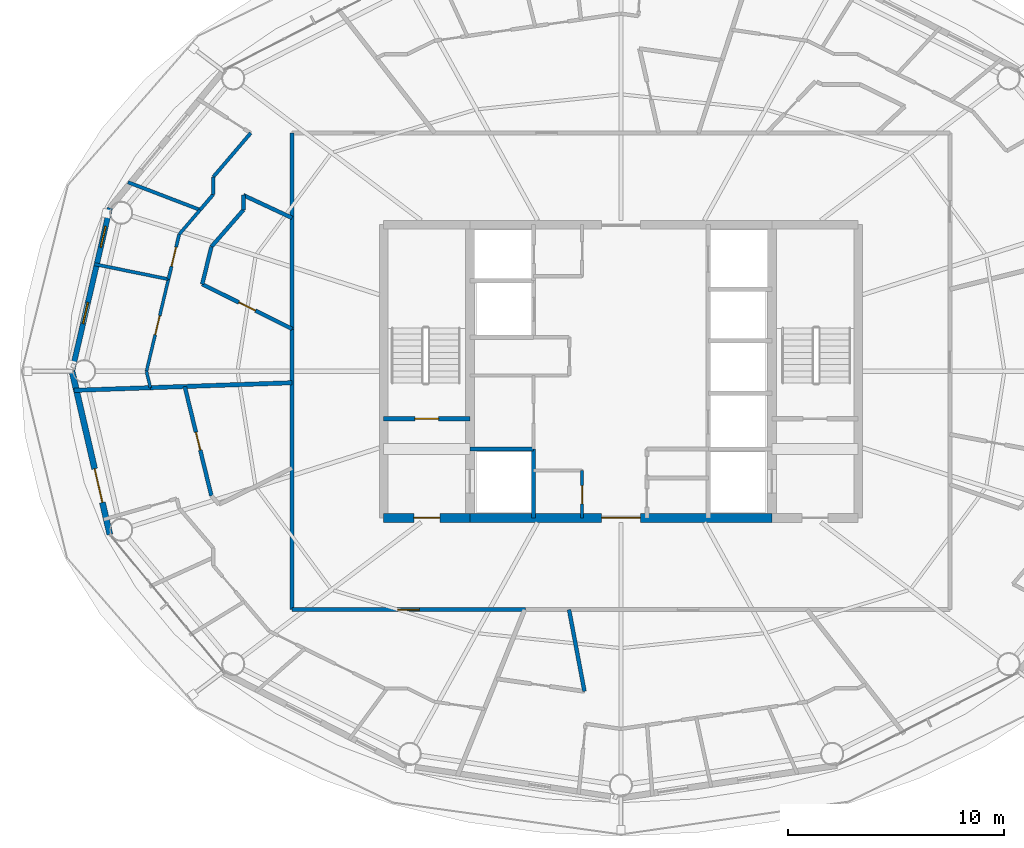
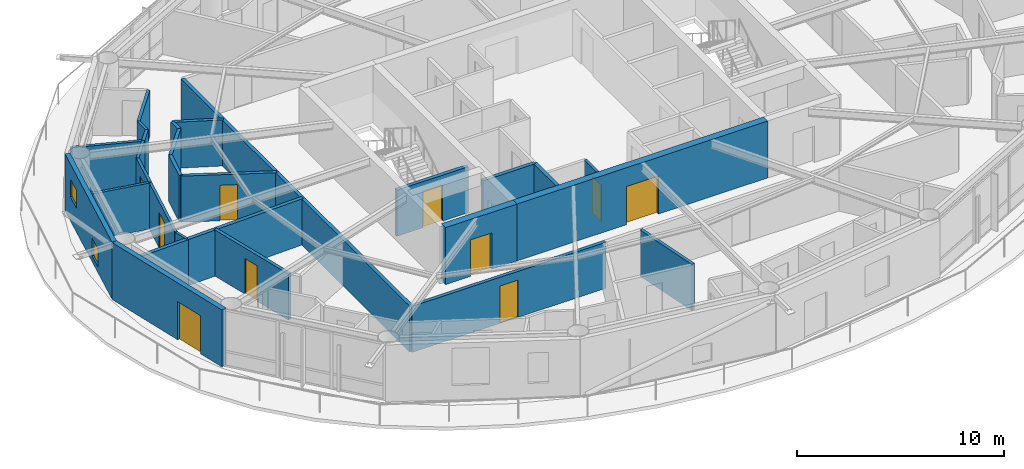
# One storey, part 16 of 23: 29 walls, 10 doors, 2 windows, 12 openings.
"""IFC4 building model written with IfcOpenShell, lengths in metres."""

from ifc_helpers import new_model, si_unit, direction, frame, frame_2d, origin, place, context, subcontext, project, spatial, rectangle, extrude, material, layer, layer_set, type_object, element, fill, save


model = new_model("IFC4")

# Units and contexts
model_context = context("Model", 3, precision=1e-05, world=origin(), true_north=direction((0.0, 1.0)))
body_context = subcontext(model_context, "Body", "Model", "MODEL_VIEW")
ifc_project = project(units=[si_unit("LENGTHUNIT", "METRE"), si_unit("AREAUNIT", "SQUARE_METRE"), si_unit("VOLUMEUNIT", "CUBIC_METRE"), si_unit("PLANEANGLEUNIT", "RADIAN"), si_unit("MASSUNIT", "GRAM", prefix="KILO")], contexts=[model_context])

# Site, building, storey
site_placement = place(None, origin())
site = spatial("IfcSite", under=ifc_project, at=site_placement, CompositionType="ELEMENT")
building_placement = place(site_placement, origin())
building = spatial("IfcBuilding", under=site, at=building_placement, Name="Sarneth Arch Tower", CompositionType="ELEMENT")
storey_placement = place(building_placement, frame((0.0, 0.0, 242.39990234375)))
storey = spatial("IfcBuildingStorey", under=building, at=storey_placement, Name="L62", CompositionType="ELEMENT", Elevation=242.39990234375)

# Wall, opening, door
ifc_material_1 = material(Name="Concrete C50/60", Category="concrete")
ifc_layer_1 = layer(ifc_material_1, 0.39990234375)
ifc_layer_set_1 = layer_set([ifc_layer_1], Name="Concrete C50/60")
wall_type_1 = type_object("IfcWallType", Name="WALL-CORE-400", PredefinedType="SHEAR", material=ifc_layer_set_1)
wall_1_placement = place(storey_placement, frame((37.0, 35.199951171875, 0.0), z_axis=(0.0, 0.0, 1.0), x_axis=(1.0, 0.0, 0.0)))
wall_1 = element("IfcWall", 1, at=wall_1_placement, inside=storey, type_object=wall_type_1, Name="L62 Core shear wall S-W", PredefinedType="SHEAR", context=body_context, shape_type="SweptSolid", body=[
    extrude(rectangle(XDim=4.0, YDim=0.39990234375, at=frame_2d((2.0, 0.0))), origin(), (0.0, 0.0, 1.0), 3.360107421875),
])
opening_1_placement = place(wall_1_placement, frame((1.39990234375, 0.0, 0.0)))
opening_1 = element("IfcOpeningElement", 2, at=opening_1_placement, cuts=wall_1, Name="Opening FD-02", PredefinedType="OPENING", context=body_context, shape_type="SweptSolid", body=[
    extrude(rectangle(XDim=1.199951171875, YDim=2.14990234375, at=frame_2d((0.60009765625, 1.074951171875))), frame((0.0, 0.2099609375, 0.0), z_axis=(0.0, -1.0, 0.0), x_axis=(1.0, 0.0, 0.0)), (0.0, 0.0, 1.0), 0.419921875),
])
ifc_material_2 = material(Name="Galvanised Steel S275 fire door set", Category="steel")
door_type_1 = type_object("IfcDoorType", Name="DR-FD90-1200", OperationType="SINGLE_SWING_LEFT", PredefinedType="DOOR", material=ifc_material_2)
door_1_placement = place(opening_1_placement, origin())
door_1 = element("IfcDoor", 3, at=door_1_placement, inside=storey, type_object=door_type_1, Name="L62 Firefighting lobby 1 exit door", OperationType="SINGLE_SWING_LEFT", OverallHeight=2.14990234375, OverallWidth=1.199951171875, PredefinedType="DOOR", context=body_context, shape_type="SweptSolid", body=[
    extrude(rectangle(XDim=1.199951171875, YDim=2.14990234375, at=frame_2d((0.60009765625, 1.074951171875))), frame((0.0, 0.02490234375, 0.0), z_axis=(0.0, -1.0, 0.0), x_axis=(1.0, 0.0, 0.0)), (0.0, 0.0, 1.0), 0.050048828125),
])
fill(opening_1, door_1)

wall_2_placement = place(storey_placement, frame((41.0, 35.199951171875, 0.0), z_axis=(0.0, 0.0, 1.0), x_axis=(1.0, 0.0, 0.0)))
wall_2 = element("IfcWall", 4, at=wall_2_placement, inside=storey, type_object=wall_type_1, Name="L62 Core shear wall S-M", PredefinedType="SHEAR", context=body_context, shape_type="SweptSolid", body=[
    extrude(rectangle(XDim=14.0, YDim=0.39990234375, at=frame_2d((7.0, 0.0))), origin(), (0.0, 0.0, 1.0), 3.360107421875),
])
opening_2_placement = place(wall_2_placement, frame((6.10009765625, 0.0, 0.0)))
opening_2 = element("IfcOpeningElement", 5, at=opening_2_placement, cuts=wall_2, Name="Opening FD-01", PredefinedType="OPENING", context=body_context, shape_type="SweptSolid", body=[
    extrude(rectangle(XDim=1.800048828125, YDim=2.25, at=frame_2d((0.89990234375, 1.125))), frame((0.0, 0.2099609375, 0.0), z_axis=(0.0, -1.0, 0.0), x_axis=(1.0, 0.0, 0.0)), (0.0, 0.0, 1.0), 0.419921875),
])
ifc_material_3 = material(Name="Galvanised Steel S275 fire door set", Category="steel")
door_type_2 = type_object("IfcDoorType", Name="DR-FD90-1800", OperationType="DOUBLE_DOOR_SINGLE_SWING", PredefinedType="DOOR", material=ifc_material_3)
door_2_placement = place(opening_2_placement, origin())
door_2 = element("IfcDoor", 6, at=door_2_placement, inside=storey, type_object=door_type_2, Name="L62 Central lift lobby south door", OperationType="DOUBLE_DOOR_SINGLE_SWING", OverallHeight=2.25, OverallWidth=1.800048828125, PredefinedType="DOOR", context=body_context, shape_type="SweptSolid", body=[
    extrude(rectangle(XDim=1.800048828125, YDim=2.25, at=frame_2d((0.89990234375, 1.125))), frame((0.0, 0.02490234375, 0.0), z_axis=(0.0, -1.0, 0.0), x_axis=(1.0, 0.0, 0.0)), (0.0, 0.0, 1.0), 0.050048828125),
])
fill(opening_2, door_2)

ifc_material_4 = material(Name="Double steel-stud corridor fire wall", Category="steel")
ifc_layer_2 = layer(ifc_material_4, 0.18994140625)
ifc_layer_set_2 = layer_set([ifc_layer_2], Name="Double steel-stud corridor fire wall")
wall_type_2 = type_object("IfcWallType", Name="WALL-CORR-190", PredefinedType="PARTITIONING", material=ifc_layer_set_2)
wall_3_placement = place(storey_placement, frame((43.570068359375, 30.949951171875, 0.0), z_axis=(0.0, 0.0, 1.0), x_axis=(-1.0, 0.0, 0.0)))
wall_3 = element("IfcWall", 7, at=wall_3_placement, inside=storey, type_object=wall_type_2, Name="L62 Interior partition W-L62-TP-011", PredefinedType="PARTITIONING", context=body_context, shape_type="SweptSolid", body=[
    extrude(rectangle(XDim=10.820068359375, YDim=0.18994140625, at=frame_2d((5.41015625, 0.0))), origin(), (0.0, 0.0, 1.0), 2.72021484375),
])
opening_3_placement = place(wall_3_placement, frame((4.909912109375, 0.0, 0.0)))
opening_3 = element("IfcOpeningElement", 8, at=opening_3_placement, cuts=wall_3, Name="Opening FD-08", PredefinedType="OPENING", context=body_context, shape_type="SweptSolid", body=[
    extrude(rectangle(XDim=1.0, YDim=2.199951171875, at=frame_2d((0.5, 1.10009765625))), frame((0.0, 0.10498046875, 0.0), z_axis=(0.0, -1.0, 0.0), x_axis=(1.0, 0.0, 0.0)), (0.0, 0.0, 1.0), 0.2099609375),
])
ifc_material_5 = material(Name="Hardwood timber acoustic fire door", Category="wood")
door_type_3 = type_object("IfcDoorType", Name="DR-FD60-1000", OperationType="SINGLE_SWING_LEFT", PredefinedType="DOOR", material=ifc_material_5)
door_3_placement = place(opening_3_placement, origin())
door_3 = element("IfcDoor", 9, at=door_3_placement, inside=storey, type_object=door_type_3, Name="L62 Interior door DR-L62-U4-ENT", OperationType="SINGLE_SWING_LEFT", OverallHeight=2.199951171875, OverallWidth=1.0, PredefinedType="DOOR", context=body_context, shape_type="SweptSolid", body=[
    extrude(rectangle(XDim=1.0, YDim=2.199951171875, at=frame_2d((0.5, 1.10009765625))), frame((0.0, 0.02490234375, 0.0), z_axis=(0.0, -1.0, 0.0), x_axis=(1.0, 0.0, 0.0)), (0.0, 0.0, 1.0), 0.050048828125),
])
fill(opening_3, door_3)

# Walls
wall_4_placement = place(storey_placement, frame((32.75, 30.949951171875, 0.0), z_axis=(0.0, 0.0, 1.0), x_axis=(0.0, 1.0, 0.0)))
element("IfcWall", 10, at=wall_4_placement, inside=storey, type_object=wall_type_2, Name="L62 Interior partition W-L62-TP-012", PredefinedType="PARTITIONING", context=body_context, shape_type="SweptSolid", body=[
    extrude(rectangle(XDim=13.054443359375, YDim=0.18994140625, at=frame_2d((6.52734375, 0.0))), origin(), (0.0, 0.0, 1.0), 2.72021484375),
])
wall_5_placement = place(storey_placement, frame((32.75, 43.932861328125, 0.0), z_axis=(0.0, 0.0, 1.0), x_axis=(0.0, 1.0, 0.0)))
element("IfcWall", 11, at=wall_5_placement, inside=storey, type_object=wall_type_2, Name="L62 Interior partition W-L62-TP-010", PredefinedType="PARTITIONING", context=body_context, shape_type="SweptSolid", body=[
    extrude(rectangle(XDim=9.1171875, YDim=0.18994140625, at=frame_2d((4.55859375, 0.0))), origin(), (0.0, 0.0, 1.0), 2.72021484375),
])

# Wall, openings, windows
ifc_material_6 = material(Name="Extruded terracotta rainscreen on Concrete C40/50 backing", Category="masonry")
ifc_layer_3 = layer(ifc_material_6, 0.25)
ifc_layer_set_3 = layer_set([ifc_layer_3], Name="Extruded terracotta rainscreen on Concrete C40/50 backing")
wall_type_3 = type_object("IfcWallType", Name="WALL-EXT-SPAND-250", PredefinedType="SOLIDWALL", material=ifc_layer_set_3)
wall_6_placement = place(storey_placement, frame((24.30615234375, 49.569580078125, 0.0), z_axis=(0.0, 0.0, 1.0), x_axis=(-0.225635078214, -0.974211892495, 0.0)))
wall_6 = element("IfcWall", 12, at=wall_6_placement, inside=storey, type_object=wall_type_3, Name="L62 Terracotta perimeter wall 08", PredefinedType="SOLIDWALL", context=body_context, shape_type="SweptSolid", body=[
    extrude(rectangle(XDim=7.77001953125, YDim=0.25, at=frame_2d((3.885009765625, 0.0))), origin(), (0.0, 0.0, 1.0), 3.360107421875),
])
opening_4_placement = place(wall_6_placement, frame((0.877685546875, 0.0, 1.419921875)))
opening_4 = element("IfcOpeningElement", 13, at=opening_4_placement, cuts=wall_6, Name="Opening W-14", PredefinedType="OPENING", context=body_context, shape_type="SweptSolid", body=[
    extrude(rectangle(XDim=1.0, YDim=1.050048828125, at=frame_2d((0.5, 0.52490234375))), frame((0.0, 0.135009765625, 0.0), z_axis=(0.0, -1.0, 0.0), x_axis=(1.0, 0.0, 0.0)), (0.0, 0.0, 1.0), 0.27001953125),
])
opening_5_placement = place(wall_6_placement, frame((4.49658203125, 0.0, 0.35009765625)))
opening_5 = element("IfcOpeningElement", 14, at=opening_5_placement, cuts=wall_6, Name="Opening W-14", PredefinedType="OPENING", context=body_context, shape_type="SweptSolid", body=[
    extrude(rectangle(XDim=1.0, YDim=1.050048828125, at=frame_2d((0.5, 0.52490234375))), frame((0.0, 0.135009765625, 0.0), z_axis=(0.0, -1.0, 0.0), x_axis=(1.0, 0.0, 0.0)), (0.0, 0.0, 1.0), 0.27001953125),
])
ifc_material_7 = material(Name="Thermally broken Aluminium 6063-T6 and low-e laminated IGU", Category="aluminium")
window_type = type_object("IfcWindowType", Name="WIN-TWR-1000x1050", PartitioningType="SINGLE_PANEL", PredefinedType="WINDOW", material=ifc_material_7)
window_1_placement = place(opening_4_placement, origin())
window_1 = element("IfcWindow", 15, at=window_1_placement, inside=storey, type_object=window_type, Name="L62 Dwelling bedroom window 03", OverallHeight=1.050048828125, OverallWidth=1.0, PartitioningType="SINGLE_PANEL", PredefinedType="WINDOW", context=body_context, shape_type="SweptSolid", body=[
    extrude(rectangle(XDim=1.0, YDim=1.050048828125, at=frame_2d((0.5, 0.52490234375))), frame((0.0, 0.030029296875, 0.0), z_axis=(0.0, -1.0, 0.0), x_axis=(1.0, 0.0, 0.0)), (0.0, 0.0, 1.0), 0.06005859375),
])
fill(opening_4, window_1)
window_2_placement = place(opening_5_placement, origin())
window_2 = element("IfcWindow", 16, at=window_2_placement, inside=storey, type_object=window_type, Name="L62 Dwelling bedroom window 04", OverallHeight=1.050048828125, OverallWidth=1.0, PartitioningType="SINGLE_PANEL", PredefinedType="WINDOW", context=body_context, shape_type="SweptSolid", body=[
    extrude(rectangle(XDim=1.0, YDim=1.050048828125, at=frame_2d((0.5, 0.52490234375))), frame((0.0, 0.030029296875, 0.0), z_axis=(0.0, -1.0, 0.0), x_axis=(1.0, 0.0, 0.0)), (0.0, 0.0, 1.0), 0.06005859375),
])
fill(opening_5, window_2)

# Wall, opening, door
ifc_material_8 = material(Name="Extruded terracotta rainscreen on Concrete C40/50 backing", Category="masonry")
ifc_layer_4 = layer(ifc_material_8, 0.280029296875)
ifc_layer_set_4 = layer_set([ifc_layer_4], Name="Extruded terracotta rainscreen on Concrete C40/50 backing")
wall_type_4 = type_object("IfcWallType", Name="WALL-EXT-TERRA-280", PredefinedType="SOLIDWALL", material=ifc_layer_set_4)
wall_7_placement = place(storey_placement, frame((22.552978515625, 42.0, 0.0), z_axis=(0.0, 0.0, 1.0), x_axis=(0.225635078214, -0.974211892495, 0.0)))
wall_7 = element("IfcWall", 17, at=wall_7_placement, inside=storey, type_object=wall_type_4, Name="L62 Terracotta perimeter wall 09", PredefinedType="SOLIDWALL", context=body_context, shape_type="SweptSolid", body=[
    extrude(rectangle(XDim=7.77001953125, YDim=0.280029296875, at=frame_2d((3.885009765625, 0.0))), origin(), (0.0, 0.0, 1.0), 3.360107421875),
])
opening_6_placement = place(wall_7_placement, frame((4.64208984375, 0.0, 0.0)))
opening_6 = element("IfcOpeningElement", 18, at=opening_6_placement, cuts=wall_7, Name="Opening BD-1", PredefinedType="OPENING", context=body_context, shape_type="SweptSolid", body=[
    extrude(rectangle(XDim=1.60009765625, YDim=2.25, at=frame_2d((0.800048828125, 1.125))), frame((0.0, 0.14990234375, 0.0), z_axis=(0.0, -1.0, 0.0), x_axis=(1.0, 0.0, 0.0)), (0.0, 0.0, 1.0), 0.300048828125),
])
ifc_material_9 = material(Name="Thermally broken Aluminium 6063-T6 and laminated safety glass", Category="aluminium")
door_type_4 = type_object("IfcDoorType", Name="DR-BALC-GLZ-1600", OperationType="DOUBLE_DOOR_SINGLE_SWING", PredefinedType="DOOR", material=ifc_material_9)
door_4_placement = place(opening_6_placement, origin())
door_4 = element("IfcDoor", 19, at=door_4_placement, inside=storey, type_object=door_type_4, Name="L62 Balcony glazed door 09", OperationType="DOUBLE_DOOR_SINGLE_SWING", OverallHeight=2.25, OverallWidth=1.60009765625, PredefinedType="DOOR", context=body_context, shape_type="SweptSolid", body=[
    extrude(rectangle(XDim=1.60009765625, YDim=2.25, at=frame_2d((0.800048828125, 1.125))), frame((0.0, 0.02490234375, 0.0), z_axis=(0.0, -1.0, 0.0), x_axis=(1.0, 0.0, 0.0)), (0.0, 0.0, 1.0), 0.050048828125),
])
fill(opening_6, door_4)

ifc_material_10 = material(Name="Apartment internal stud partition", Category="gypsum")
ifc_layer_5 = layer(ifc_material_10, 0.139892578125)
ifc_layer_set_5 = layer_set([ifc_layer_5], Name="Apartment internal stud partition")
wall_type_5 = type_object("IfcWallType", Name="WALL-PART-140", PredefinedType="PARTITIONING", material=ifc_layer_set_5)
wall_8_placement = place(storey_placement, frame((27.02294921875, 46.267822265625, 0.0), z_axis=(0.0, 0.0, 1.0), x_axis=(-0.232297465709, -0.972644789954, 0.0)))
wall_8 = element("IfcWall", 20, at=wall_8_placement, inside=storey, type_object=wall_type_5, Name="L62 Interior partition W-L62-TP-069", PredefinedType="PARTITIONING", context=body_context, shape_type="SweptSolid", body=[
    extrude(rectangle(XDim=4.387939453125, YDim=0.139892578125, at=frame_2d((2.19384765625, 0.0))), origin(), (0.0, 0.0, 1.0), 2.72021484375),
])
opening_7_placement = place(wall_8_placement, frame((1.743896484375, 0.0, 0.0)))
opening_7 = element("IfcOpeningElement", 21, at=opening_7_placement, cuts=wall_8, Name="Opening ID-01", PredefinedType="OPENING", context=body_context, shape_type="SweptSolid", body=[
    extrude(rectangle(XDim=0.89990234375, YDim=2.10009765625, at=frame_2d((0.449951171875, 1.050048828125))), frame((0.0, 0.079833984375, 0.0), z_axis=(0.0, -1.0, 0.0), x_axis=(1.0, 0.0, 0.0)), (0.0, 0.0, 1.0), 0.159912109375),
])
ifc_material_11 = material(Name="Engineered hardwood flush door", Category="wood")
door_type_5 = type_object("IfcDoorType", Name="DR-INT-900", OperationType="SINGLE_SWING_LEFT", PredefinedType="DOOR", material=ifc_material_11)
door_5_placement = place(opening_7_placement, origin())
door_5 = element("IfcDoor", 22, at=door_5_placement, inside=storey, type_object=door_type_5, Name="L62 Interior door DR-L62-U3-BED2", OperationType="SINGLE_SWING_LEFT", OverallHeight=2.10009765625, OverallWidth=0.89990234375, PredefinedType="DOOR", context=body_context, shape_type="SweptSolid", body=[
    extrude(rectangle(XDim=0.89990234375, YDim=2.10009765625, at=frame_2d((0.449951171875, 1.050048828125))), frame((0.0, 0.02490234375, 0.0), z_axis=(0.0, -1.0, 0.0), x_axis=(1.0, 0.0, 0.0)), (0.0, 0.0, 1.0), 0.050048828125),
])
fill(opening_7, door_5)

# Wall
wall_9_placement = place(storey_placement, frame((26.003662109375, 42.0, 0.0), z_axis=(0.0, 0.0, 1.0), x_axis=(0.232252672351, -0.972655486894, 0.0)))
element("IfcWall", 23, at=wall_9_placement, inside=storey, type_object=wall_type_5, Name="L62 Interior partition W-L62-TP-070", PredefinedType="PARTITIONING", context=body_context, shape_type="SweptSolid", body=[
    extrude(rectangle(XDim=0.783203125, YDim=0.139892578125, at=frame_2d((0.3916015625, 0.0))), origin(), (0.0, 0.0, 1.0), 2.72021484375),
])

# Wall, opening, door
ifc_material_12 = material(Name="Acoustic gypsum stud partition", Category="gypsum")
ifc_layer_6 = layer(ifc_material_12, 0.14990234375)
ifc_layer_set_6 = layer_set([ifc_layer_6], Name="Acoustic gypsum stud partition")
wall_type_6 = type_object("IfcWallType", Name="WALL-PART-150", PredefinedType="PARTITIONING", material=ifc_layer_set_6)
wall_10_placement = place(storey_placement, frame((46.199951171875, 35.199951171875, 0.0), z_axis=(0.0, 0.0, 1.0), x_axis=(0.0, 1.0, 0.0)))
wall_10 = element("IfcWall", 24, at=wall_10_placement, inside=storey, type_object=wall_type_6, Name="L62 Interior partition W-L62-CSUP1-E", PredefinedType="PARTITIONING", context=body_context, shape_type="SweptSolid", body=[
    extrude(rectangle(XDim=2.199951171875, YDim=0.14990234375, at=frame_2d((1.10009765625, 0.0))), origin(), (0.0, 0.0, 1.0), 2.72021484375),
])
opening_8_placement = place(wall_10_placement, frame((0.64990234375, 0.0, 0.0)))
opening_8 = element("IfcOpeningElement", 25, at=opening_8_placement, cuts=wall_10, Name="Opening FD-11", PredefinedType="OPENING", context=body_context, shape_type="SweptSolid", body=[
    extrude(rectangle(XDim=0.85009765625, YDim=2.14990234375, at=frame_2d((0.425048828125, 1.074951171875))), frame((0.0, 0.0849609375, 0.0), z_axis=(0.0, -1.0, 0.0), x_axis=(1.0, 0.0, 0.0)), (0.0, 0.0, 1.0), 0.169921875),
])
ifc_material_13 = material(Name="Galvanised Steel S275 closet fire door", Category="steel")
door_type_6 = type_object("IfcDoorType", Name="DR-FD60-850", OperationType="SINGLE_SWING_LEFT", PredefinedType="DOOR", material=ifc_material_13)
door_6_placement = place(opening_8_placement, origin())
door_6 = element("IfcDoor", 26, at=door_6_placement, inside=storey, type_object=door_type_6, Name="L62 Interior door DR-L62-CSUP1", OperationType="SINGLE_SWING_LEFT", OverallHeight=2.14990234375, OverallWidth=0.85009765625, PredefinedType="DOOR", context=body_context, shape_type="SweptSolid", body=[
    extrude(rectangle(XDim=0.85009765625, YDim=2.14990234375, at=frame_2d((0.425048828125, 1.074951171875))), frame((0.0, 0.02490234375, 0.0), z_axis=(0.0, -1.0, 0.0), x_axis=(1.0, 0.0, 0.0)), (0.0, 0.0, 1.0), 0.050048828125),
])
fill(opening_8, door_6)

# Wall
wall_11_placement = place(storey_placement, frame((23.58056640625, 46.96826171875, 0.0), z_axis=(0.0, 0.0, 1.0), x_axis=(0.979920324581, -0.199389461789, 0.0)))
element("IfcWall", 27, at=wall_11_placement, inside=storey, type_object=wall_type_6, Name="L62 Interior partition W-L62-TP-074", PredefinedType="PARTITIONING", context=body_context, shape_type="SweptSolid", body=[
    extrude(rectangle(XDim=3.512939453125, YDim=0.14990234375, at=frame_2d((1.75634765625, 0.0))), origin(), (0.0, 0.0, 1.0), 2.72021484375),
])

# Wall, opening, door
wall_12_placement = place(storey_placement, frame((27.51904296875, 48.344970703125, 0.0), z_axis=(0.0, 0.0, 1.0), x_axis=(-0.232300509632, -0.972644062967, 0.0)))
wall_12 = element("IfcWall", 28, at=wall_12_placement, inside=storey, type_object=wall_type_6, Name="L62 Interior partition W-L62-TP-068", PredefinedType="PARTITIONING", context=body_context, shape_type="SweptSolid", body=[
    extrude(rectangle(XDim=2.135498046875, YDim=0.14990234375, at=frame_2d((1.06787109375, 0.0))), origin(), (0.0, 0.0, 1.0), 2.72021484375),
])
opening_9_placement = place(wall_12_placement, frame((0.617919921875, 0.0, 0.0)))
opening_9 = element("IfcOpeningElement", 29, at=opening_9_placement, cuts=wall_12, Name="Opening ID-01", PredefinedType="OPENING", context=body_context, shape_type="SweptSolid", body=[
    extrude(rectangle(XDim=0.89990234375, YDim=2.10009765625, at=frame_2d((0.449951171875, 1.050048828125))), frame((0.0, 0.0849609375, 0.0), z_axis=(0.0, -1.0, 0.0), x_axis=(1.0, 0.0, 0.0)), (0.0, 0.0, 1.0), 0.169921875),
])
door_7_placement = place(opening_9_placement, origin())
door_7 = element("IfcDoor", 30, at=door_7_placement, inside=storey, type_object=door_type_5, Name="L62 Interior door DR-L62-U3-BED1", OperationType="SINGLE_SWING_LEFT", OverallHeight=2.10009765625, OverallWidth=0.89990234375, PredefinedType="DOOR", context=body_context, shape_type="SweptSolid", body=[
    extrude(rectangle(XDim=0.89990234375, YDim=2.10009765625, at=frame_2d((0.449951171875, 1.050048828125))), frame((0.0, 0.02490234375, 0.0), z_axis=(0.0, -1.0, 0.0), x_axis=(1.0, 0.0, 0.0)), (0.0, 0.0, 1.0), 0.050048828125),
])
fill(opening_9, door_7)

# Walls
wall_13_placement = place(storey_placement, frame((28.489013671875, 49.481201171875, 0.0), z_axis=(0.0, 0.0, 1.0), x_axis=(-0.64926929687, -0.760558597441, 0.0)))
element("IfcWall", 31, at=wall_13_placement, inside=storey, type_object=wall_type_6, Name="L62 Interior partition W-L62-TP-067", PredefinedType="PARTITIONING", context=body_context, shape_type="SweptSolid", body=[
    extrude(rectangle(XDim=1.493896484375, YDim=0.14990234375, at=frame_2d((0.7470703125, 0.0))), origin(), (0.0, 0.0, 1.0), 2.72021484375),
])
ifc_material_14 = material(Name="Kitchen wet service chase wall", Category="gypsum")
ifc_layer_7 = layer(ifc_material_14, 0.159912109375)
ifc_layer_set_7 = layer_set([ifc_layer_7], Name="Kitchen wet service chase wall")
wall_type_7 = type_object("IfcWallType", Name="WALL-PLUMB-160", PredefinedType="PLUMBINGWALL", material=ifc_layer_set_7)
wall_14_placement = place(storey_placement, frame((25.146484375, 50.762939453125, 0.0), z_axis=(0.0, 0.0, 1.0), x_axis=(0.933705463068, -0.358042048142, 0.0)))
element("IfcWall", 32, at=wall_14_placement, inside=storey, type_object=wall_type_7, Name="L62 Interior partition W-L62-TP-073", PredefinedType="PLUMBINGWALL", context=body_context, shape_type="SweptSolid", body=[
    extrude(rectangle(XDim=3.579833984375, YDim=0.159912109375, at=frame_2d((1.7900390625, 0.0))), origin(), (0.0, 0.0, 1.0), 2.72021484375),
])
wall_15_placement = place(storey_placement, frame((30.836181640625, 53.04248046875, 0.0), z_axis=(0.0, 0.0, 1.0), x_axis=(-0.648948159828, -0.760832626703, 0.0)))
element("IfcWall", 33, at=wall_15_placement, inside=storey, type_object=wall_type_7, Name="L62 Interior partition W-L62-TP-059", PredefinedType="PLUMBINGWALL", context=body_context, shape_type="SweptSolid", body=[
    extrude(rectangle(XDim=2.67529296875, YDim=0.159912109375, at=frame_2d((1.337646484375, 0.0))), origin(), (0.0, 0.0, 1.0), 2.72021484375),
])
wall_16_placement = place(storey_placement, frame((29.10009765625, 50.197021484375, 0.0), z_axis=(0.0, 0.0, 1.0), x_axis=(-0.649273359201, -0.760555129515, 0.0)))
element("IfcWall", 34, at=wall_16_placement, inside=storey, type_object=wall_type_7, Name="L62 Interior partition W-L62-TP-061", PredefinedType="PLUMBINGWALL", context=body_context, shape_type="SweptSolid", body=[
    extrude(rectangle(XDim=0.941162109375, YDim=0.159912109375, at=frame_2d((0.470703125, 0.0))), origin(), (0.0, 0.0, 1.0), 2.72021484375),
])
wall_17_placement = place(storey_placement, frame((29.10009765625, 51.007080078125, 0.0), z_axis=(0.0, 0.0, 1.0), x_axis=(0.0, -1.0, 0.0)))
element("IfcWall", 35, at=wall_17_placement, inside=storey, type_object=wall_type_7, Name="L62 Interior partition W-L62-TP-060", PredefinedType="PLUMBINGWALL", context=body_context, shape_type="SweptSolid", body=[
    extrude(rectangle(XDim=0.81005859375, YDim=0.159912109375, at=frame_2d((0.405029296875, 0.0))), origin(), (0.0, 0.0, 1.0), 2.72021484375),
])

# Wall, opening, door
ifc_material_15 = material(Name="Moisture-resistant plumbing chase wall", Category="gypsum")
ifc_layer_8 = layer(ifc_material_15, 0.179931640625)
ifc_layer_set_8 = layer_set([ifc_layer_8], Name="Moisture-resistant plumbing chase wall")
wall_type_8 = type_object("IfcWallType", Name="WALL-PLUMB-180", PredefinedType="PLUMBINGWALL", material=ifc_layer_set_8)
wall_18_placement = place(storey_placement, frame((29.012451171875, 36.22900390625, 0.0), z_axis=(0.0, 0.0, 1.0), x_axis=(-0.236558321497, 0.971617291185, 0.0)))
wall_18 = element("IfcWall", 36, at=wall_18_placement, inside=storey, type_object=wall_type_8, Name="L62 Interior partition W-L62-TP-084", PredefinedType="PLUMBINGWALL", context=body_context, shape_type="SweptSolid", body=[
    extrude(rectangle(XDim=5.212890625, YDim=0.179931640625, at=frame_2d((2.6064453125, 0.0))), origin(), (0.0, 0.0, 1.0), 2.72021484375),
])
opening_10_placement = place(wall_18_placement, frame((2.181396484375, 0.0, 0.0)))
opening_10 = element("IfcOpeningElement", 37, at=opening_10_placement, cuts=wall_18, Name="Opening ID-02", PredefinedType="OPENING", context=body_context, shape_type="SweptSolid", body=[
    extrude(rectangle(XDim=0.85009765625, YDim=2.10009765625, at=frame_2d((0.425048828125, 1.050048828125))), frame((0.0, 0.099853515625, 0.0), z_axis=(0.0, -1.0, 0.0), x_axis=(1.0, 0.0, 0.0)), (0.0, 0.0, 1.0), 0.199951171875),
])
ifc_material_16 = material(Name="Moisture-resistant bathroom timber door", Category="wood")
door_type_7 = type_object("IfcDoorType", Name="DR-INT-850", OperationType="SINGLE_SWING_RIGHT", PredefinedType="DOOR", material=ifc_material_16)
door_8_placement = place(opening_10_placement, origin())
door_8 = element("IfcDoor", 38, at=door_8_placement, inside=storey, type_object=door_type_7, Name="L62 Interior door DR-L62-U4-BATH", OperationType="SINGLE_SWING_RIGHT", OverallHeight=2.10009765625, OverallWidth=0.85009765625, PredefinedType="DOOR", context=body_context, shape_type="SweptSolid", body=[
    extrude(rectangle(XDim=0.85009765625, YDim=2.10009765625, at=frame_2d((0.425048828125, 1.050048828125))), frame((0.0, 0.02490234375, 0.0), z_axis=(0.0, -1.0, 0.0), x_axis=(1.0, 0.0, 0.0)), (0.0, 0.0, 1.0), 0.050048828125),
])
fill(opening_10, door_8)

wall_19_placement = place(storey_placement, frame((28.589599609375, 46.0341796875, 0.0), z_axis=(0.0, 0.0, 1.0), x_axis=(0.895674619474, -0.444709990926, 0.0)))
wall_19 = element("IfcWall", 39, at=wall_19_placement, inside=storey, type_object=wall_type_8, Name="L62 Interior partition W-L62-TP-066", PredefinedType="PLUMBINGWALL", context=body_context, shape_type="SweptSolid", body=[
    extrude(rectangle(XDim=4.64501953125, YDim=0.179931640625, at=frame_2d((2.322509765625, 0.0))), origin(), (0.0, 0.0, 1.0), 2.72021484375),
])
opening_11_placement = place(wall_19_placement, frame((1.8974609375, 0.0, 0.0)))
opening_11 = element("IfcOpeningElement", 40, at=opening_11_placement, cuts=wall_19, Name="Opening ID-02", PredefinedType="OPENING", context=body_context, shape_type="SweptSolid", body=[
    extrude(rectangle(XDim=0.85009765625, YDim=2.10009765625, at=frame_2d((0.425048828125, 1.050048828125))), frame((0.0, 0.099853515625, 0.0), z_axis=(0.0, -1.0, 0.0), x_axis=(1.0, 0.0, 0.0)), (0.0, 0.0, 1.0), 0.199951171875),
])
door_9_placement = place(opening_11_placement, origin())
door_9 = element("IfcDoor", 41, at=door_9_placement, inside=storey, type_object=door_type_7, Name="L62 Interior door DR-L62-U3-BATH", OperationType="SINGLE_SWING_RIGHT", OverallHeight=2.10009765625, OverallWidth=0.85009765625, PredefinedType="DOOR", context=body_context, shape_type="SweptSolid", body=[
    extrude(rectangle(XDim=0.85009765625, YDim=2.10009765625, at=frame_2d((0.425048828125, 1.050048828125))), frame((0.0, 0.02490234375, 0.0), z_axis=(0.0, -1.0, 0.0), x_axis=(1.0, 0.0, 0.0)), (0.0, 0.0, 1.0), 0.050048828125),
])
fill(opening_11, door_9)

# Walls
wall_20_placement = place(storey_placement, frame((45.59423828125, 30.949951171875, 0.0), z_axis=(0.0, 0.0, 1.0), x_axis=(0.18532477331, -0.982677326694, 0.0)))
element("IfcWall", 42, at=wall_20_placement, inside=storey, type_object=wall_type_8, Name="L62 Interior partition W-L62-TP-102", PredefinedType="PLUMBINGWALL", context=body_context, shape_type="SweptSolid", body=[
    extrude(rectangle(XDim=3.8544921875, YDim=0.179931640625, at=frame_2d((1.92724609375, 0.0))), origin(), (0.0, 0.0, 1.0), 2.72021484375),
])
wall_21_placement = place(storey_placement, frame((32.75, 49.111083984375, 0.0), z_axis=(0.0, 0.0, 1.0), x_axis=(-0.906288628397, 0.422659345144, 0.0)))
element("IfcWall", 43, at=wall_21_placement, inside=storey, type_object=wall_type_8, Name="L62 Interior partition W-L62-TP-062", PredefinedType="PLUMBINGWALL", context=body_context, shape_type="SweptSolid", body=[
    extrude(rectangle(XDim=2.482666015625, YDim=0.179931640625, at=frame_2d((1.2412109375, 0.0))), origin(), (0.0, 0.0, 1.0), 2.72021484375),
])
wall_22_placement = place(storey_placement, frame((30.5, 49.480712890625, 0.0), z_axis=(0.0, 0.0, 1.0), x_axis=(-0.656389391797, -0.754422273224, 0.0)))
element("IfcWall", 44, at=wall_22_placement, inside=storey, type_object=wall_type_8, Name="L62 Interior partition W-L62-TP-064", PredefinedType="PLUMBINGWALL", context=body_context, shape_type="SweptSolid", body=[
    extrude(rectangle(XDim=2.266357421875, YDim=0.179931640625, at=frame_2d((1.13330078125, 0.0))), origin(), (0.0, 0.0, 1.0), 2.72021484375),
])
wall_23_placement = place(storey_placement, frame((29.012451171875, 47.77099609375, 0.0), z_axis=(0.0, 0.0, 1.0), x_axis=(-0.236553709998, -0.971618413929, 0.0)))
element("IfcWall", 45, at=wall_23_placement, inside=storey, type_object=wall_type_8, Name="L62 Interior partition W-L62-TP-065", PredefinedType="PLUMBINGWALL", context=body_context, shape_type="SweptSolid", body=[
    extrude(rectangle(XDim=1.78759765625, YDim=0.179931640625, at=frame_2d((0.893798828125, 0.0))), origin(), (0.0, 0.0, 1.0), 2.72021484375),
])
wall_24_placement = place(storey_placement, frame((30.5, 50.160400390625, 0.0), z_axis=(0.0, 0.0, 1.0), x_axis=(0.0, -1.0, 0.0)))
element("IfcWall", 46, at=wall_24_placement, inside=storey, type_object=wall_type_8, Name="L62 Interior partition W-L62-TP-063", PredefinedType="PLUMBINGWALL", context=body_context, shape_type="SweptSolid", body=[
    extrude(rectangle(XDim=0.6796875, YDim=0.179931640625, at=frame_2d((0.33984375, 0.0))), origin(), (0.0, 0.0, 1.0), 2.72021484375),
])

# Wall, opening, door
ifc_material_17 = material(Name="Aerated concrete blockwork C25/30", Category="masonry")
ifc_layer_9 = layer(ifc_material_17, 0.199951171875)
ifc_layer_set_9 = layer_set([ifc_layer_9], Name="Aerated concrete blockwork C25/30")
wall_type_9 = type_object("IfcWallType", Name="WALL-SHAFT-200", PredefinedType="SOLIDWALL", material=ifc_layer_set_9)
wall_25_placement = place(storey_placement, frame((37.0, 39.800048828125, 0.0), z_axis=(0.0, 0.0, 1.0), x_axis=(1.0, 0.0, 0.0)))
wall_25 = element("IfcWall", 47, at=wall_25_placement, inside=storey, type_object=wall_type_9, Name="L62 Interior partition W-L62-ST1-S", PredefinedType="SOLIDWALL", context=body_context, shape_type="SweptSolid", body=[
    extrude(rectangle(XDim=4.0, YDim=0.199951171875, at=frame_2d((2.0, 0.0))), origin(), (0.0, 0.0, 1.0), 2.72021484375),
])
opening_12_placement = place(wall_25_placement, frame((1.449951171875, 0.0, 0.0)))
opening_12 = element("IfcOpeningElement", 48, at=opening_12_placement, cuts=wall_25, Name="Opening FD-03", PredefinedType="OPENING", context=body_context, shape_type="SweptSolid", body=[
    extrude(rectangle(XDim=1.10009765625, YDim=2.14990234375, at=frame_2d((0.550048828125, 1.074951171875))), frame((0.0, 0.10986328125, 0.0), z_axis=(0.0, -1.0, 0.0), x_axis=(1.0, 0.0, 0.0)), (0.0, 0.0, 1.0), 0.219970703125),
])
ifc_material_18 = material(Name="Galvanised Steel S275 fire door set", Category="steel")
door_type_8 = type_object("IfcDoorType", Name="DR-FD90-1100", OperationType="SINGLE_SWING_LEFT", PredefinedType="DOOR", material=ifc_material_18)
door_10_placement = place(opening_12_placement, origin())
door_10 = element("IfcDoor", 49, at=door_10_placement, inside=storey, type_object=door_type_8, Name="L62 Interior door DR-L62-ST1", OperationType="SINGLE_SWING_LEFT", OverallHeight=2.14990234375, OverallWidth=1.10009765625, PredefinedType="DOOR", context=body_context, shape_type="SweptSolid", body=[
    extrude(rectangle(XDim=1.10009765625, YDim=2.14990234375, at=frame_2d((0.550048828125, 1.074951171875))), frame((0.0, 0.02490234375, 0.0), z_axis=(0.0, -1.0, 0.0), x_axis=(1.0, 0.0, 0.0)), (0.0, 0.0, 1.0), 0.050048828125),
])
fill(opening_12, door_10)

# Walls
wall_26_placement = place(storey_placement, frame((43.949951171875, 35.199951171875, 0.0), z_axis=(0.0, 0.0, 1.0), x_axis=(0.0, 1.0, 0.0)))
element("IfcWall", 50, at=wall_26_placement, inside=storey, type_object=wall_type_9, Name="L62 Interior partition W-L62-FL1-E", PredefinedType="SOLIDWALL", context=body_context, shape_type="SweptSolid", body=[
    extrude(rectangle(XDim=3.199951171875, YDim=0.199951171875, at=frame_2d((1.60009765625, 0.0))), origin(), (0.0, 0.0, 1.0), 2.72021484375),
])
wall_27_placement = place(storey_placement, frame((41.0, 38.39990234375, 0.0), z_axis=(0.0, 0.0, 1.0), x_axis=(1.0, 0.0, 0.0)))
element("IfcWall", 51, at=wall_27_placement, inside=storey, type_object=wall_type_9, Name="L62 Interior partition W-L62-FL1-N", PredefinedType="SOLIDWALL", context=body_context, shape_type="SweptSolid", body=[
    extrude(rectangle(XDim=2.949951171875, YDim=0.199951171875, at=frame_2d((1.47509765625, 0.0))), origin(), (0.0, 0.0, 1.0), 2.72021484375),
])
ifc_material_19 = material(Name="Double steel-stud acoustic drywall", Category="steel")
ifc_layer_10 = layer(ifc_material_19, 0.199951171875)
ifc_layer_set_10 = layer_set([ifc_layer_10], Name="Double steel-stud acoustic drywall")
wall_type_10 = type_object("IfcWallType", Name="WALL-UNIT-200", PredefinedType="PARTITIONING", material=ifc_layer_set_10)
wall_28_placement = place(storey_placement, frame((26.185546875, 41.23828125, 0.0), z_axis=(0.0, 0.0, 1.0), x_axis=(0.999390761745, 0.034901365861, 0.0)))
element("IfcWall", 52, at=wall_28_placement, inside=storey, type_object=wall_type_10, Name="L62 Interior partition W-L62-TP-072", PredefinedType="PARTITIONING", context=body_context, shape_type="SweptSolid", body=[
    extrude(rectangle(XDim=6.568359375, YDim=0.199951171875, at=frame_2d((3.2841796875, 0.0))), origin(), (0.0, 0.0, 1.0), 2.72021484375),
])
wall_29_placement = place(storey_placement, frame((26.185546875, 41.23828125, 0.0), z_axis=(0.0, 0.0, 1.0), x_axis=(-0.999389719612, -0.034931194273, 0.0)))
element("IfcWall", 53, at=wall_29_placement, inside=storey, type_object=wall_type_10, Name="L62 Interior partition W-L62-TP-075", PredefinedType="PARTITIONING", context=body_context, shape_type="SweptSolid", body=[
    extrude(rectangle(XDim=3.550537109375, YDim=0.199951171875, at=frame_2d((1.775390625, 0.0))), origin(), (0.0, 0.0, 1.0), 2.72021484375),
])

save(model, "model.ifc")
